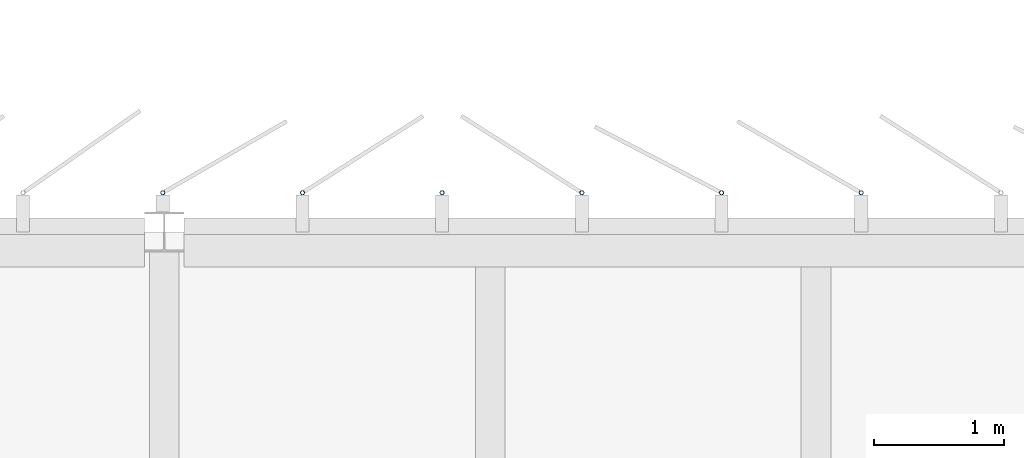
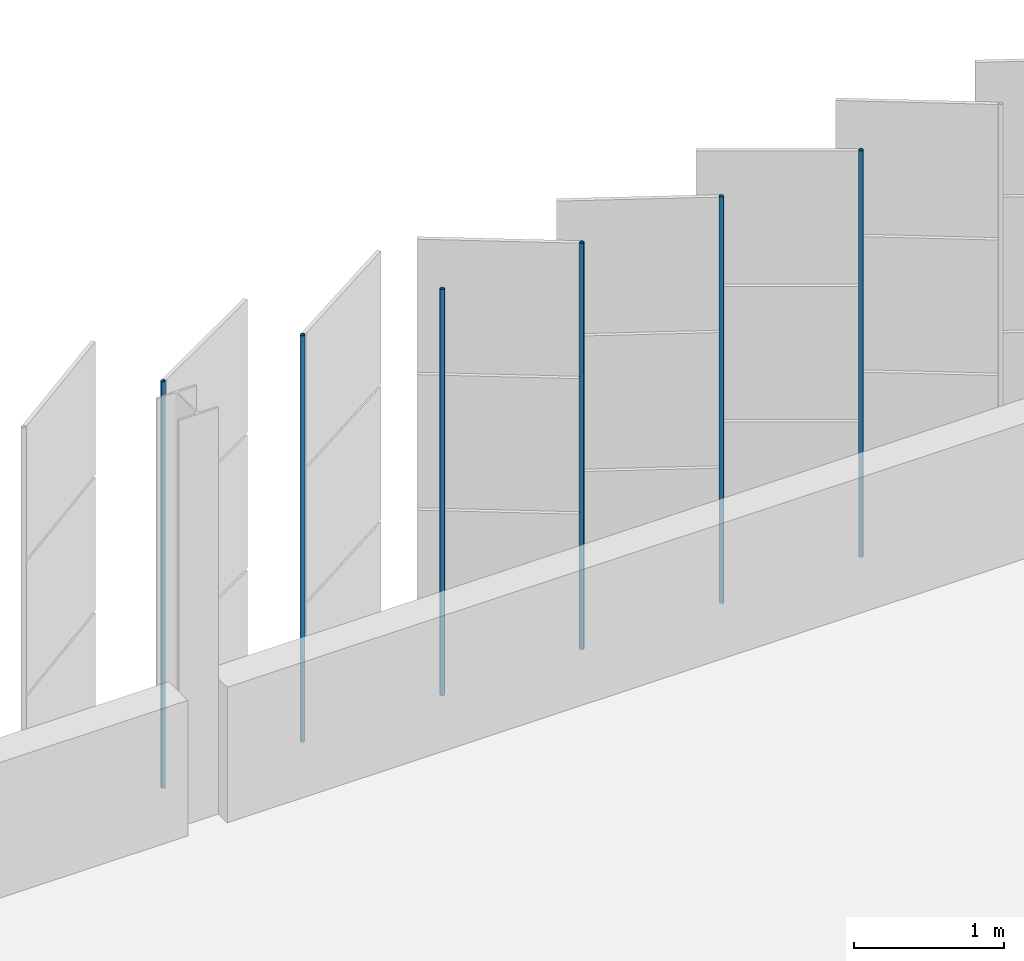
# One storey, part 139 of 199: 6 discrete accessories.
"""IFC4 building model written with IfcOpenShell, lengths in metres."""

from ifc_helpers import new_model, si_unit, direction, frame, origin, origin_2d, place, context, subcontext, project, spatial, hollow_circle, extrude, material, material_profile, profile_set, type_object, element, save


model = new_model("IFC4")

# Units and contexts
model_context = context("Model", 3, precision=1e-05, world=origin(), true_north=direction((0.0, 1.0)))
body_context = subcontext(model_context, "Body", "Model", "MODEL_VIEW")
ifc_project = project(units=[si_unit("LENGTHUNIT", "METRE"), si_unit("AREAUNIT", "SQUARE_METRE"), si_unit("VOLUMEUNIT", "CUBIC_METRE"), si_unit("PLANEANGLEUNIT", "RADIAN"), si_unit("MASSUNIT", "GRAM", prefix="KILO")], contexts=[model_context])

# Site, building, storey
site_placement = place(None, origin())
site = spatial("IfcSite", under=ifc_project, at=site_placement, CompositionType="ELEMENT")
building_placement = place(site_placement, origin())
building = spatial("IfcBuilding", under=site, at=building_placement, Name="Parallax Yard Mobility Hub", CompositionType="ELEMENT")
storey_placement = place(building_placement, frame((0.0, 0.0, 9.89990234375)))
storey = spatial("IfcBuildingStorey", under=building, at=storey_placement, Name="L03", CompositionType="ELEMENT", Elevation=9.89990234375)

# Discrete accessories
ifc_material = material(Name="Steel ASTM A500 Gr C, hot-dip galvanised", Category="steel")
ifc_material_profile = material_profile(ifc_material, hollow_circle(Radius=0.016845703125, WallThickness=0.003173828125, at=origin_2d()), Name="CHS 33.7x3.2")
ifc_profile_set = profile_set([ifc_material_profile], Name="Steel ASTM A500 Gr C, hot-dip galvanised")
discrete_accessory_type = type_object("IfcDiscreteAccessoryType", Name="Hinge post CHS 33.7x3.2", PredefinedType="BRACKET", material=ifc_profile_set)
for number, where, z_axis, x_axis, name in (
    (1, (65.34619140625, 142.800048828125, 0.0), (0.0, 0.0, 1.0), (1.0, 0.0, 0.0), "Hinge post bay 65.3 level L03"),
    (2, (64.27490234375, 142.800048828125, 0.0), (0.0, 0.0, 1.0), (1.0, 0.0, 0.0), "Hinge post bay 65.4 level L03"),
    (3, (63.203125, 142.800048828125, 0.0), (0.0, 0.0, 1.0), (1.0, 0.0, 0.0), "Hinge post bay 65.5 level L03"),
    (4, (62.131591796875, 142.800048828125, 0.0), (0.0, 0.0, 1.0), (1.0, 0.0, 0.0), "Hinge post bay 65.6 level L03"),
    (5, (61.06005859375, 142.800048828125, 0.0), (0.0, 0.0, 1.0), (1.0, 0.0, 0.0), "Hinge post bay 65.7 level L03"),
    (6, (59.988525390625, 142.800048828125, 0.0), (0.0, 0.0, 1.0), (1.0, 0.0, 0.0), "Hinge post bay 66.1 level L03"),
):
    element("IfcDiscreteAccessory", number, at=place(storey_placement, frame(where, z_axis=z_axis, x_axis=x_axis)), inside=storey, type_object=discrete_accessory_type, Name=name, PredefinedType="BRACKET", context=body_context, shape_type="SweptSolid", body=[
        extrude(hollow_circle(Radius=0.016845703125, WallThickness=0.003173828125, at=origin_2d()), origin(), (0.0, 0.0, 1.0), 3.300048828125),
    ])

save(model, "model.ifc")
